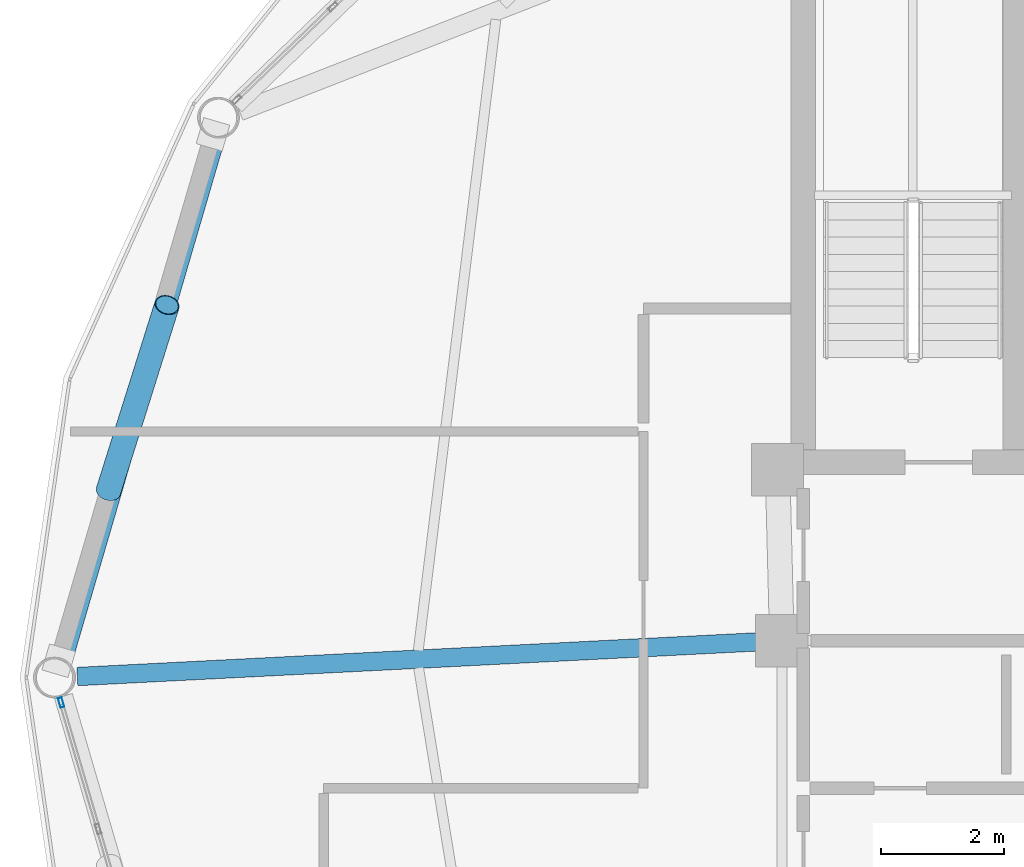
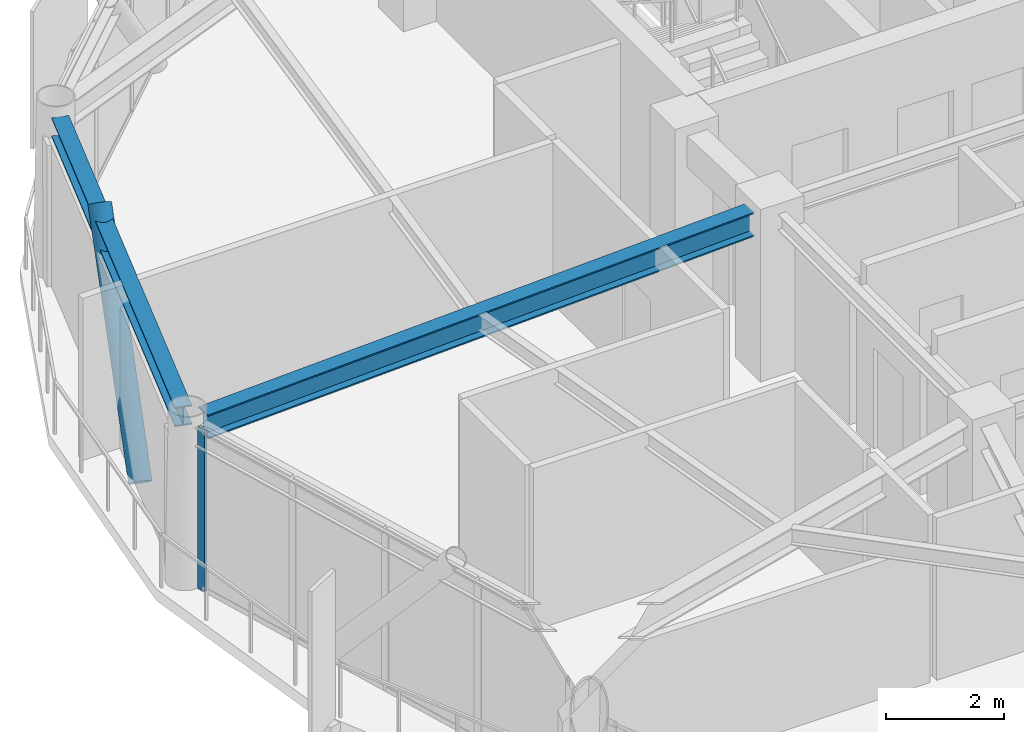
# One storey, part 10 of 26: 2 beams, 2 members, 1 element without a shape of its own.
"""IFC4 building model written with IfcOpenShell, lengths in metres."""

from ifc_helpers import new_model, si_unit, direction, frame, origin, origin_2d, place, context, subcontext, project, spatial, hollow_rectangle, hollow_circle, i_section, extrude, material, layer, layer_set, material_profile, profile_set, type_object, element, aggregate, save


model = new_model("IFC4")

# Units and contexts
model_context = context("Model", 3, precision=1e-05, world=origin(), true_north=direction((0.0, 1.0)))
body_context = subcontext(model_context, "Body", "Model", "MODEL_VIEW")
ifc_project = project(units=[si_unit("LENGTHUNIT", "METRE"), si_unit("AREAUNIT", "SQUARE_METRE"), si_unit("VOLUMEUNIT", "CUBIC_METRE"), si_unit("PLANEANGLEUNIT", "RADIAN"), si_unit("MASSUNIT", "GRAM", prefix="KILO")], contexts=[model_context])

# Site, building, storey
site_placement = place(None, origin())
site = spatial("IfcSite", under=ifc_project, at=site_placement, CompositionType="ELEMENT")
building_placement = place(site_placement, origin())
building = spatial("IfcBuilding", under=site, at=building_placement, Name="Varnakorn Sky Granary", CompositionType="ELEMENT")
storey_placement = place(building_placement, frame((0.0, 0.0, 218.39990234375)))
storey = spatial("IfcBuildingStorey", under=building, at=storey_placement, Name="L55", CompositionType="ELEMENT", Elevation=218.39990234375)

# Beams
ifc_material_1 = material(Name="Steel S355JR", Category="steel")
ifc_material_profile_1 = material_profile(ifc_material_1, i_section(OverallWidth=0.300048828125, OverallDepth=0.5, WebThickness=0.014404296875, FlangeThickness=0.028076171875, at=origin_2d()), Name="HE 500 B")
ifc_profile_set_1 = profile_set([ifc_material_profile_1], Name="Steel S355JR")
beam_type_1 = type_object("IfcBeamType", Name="BM-RAD-Z4", PredefinedType="BEAM", material=ifc_profile_set_1)
beam_1_placement = place(storey_placement, frame((-2.75439453125, 0.579345703125, 3.110107421875), z_axis=(-0.998703502537, -0.050904950848, 0.0), x_axis=(0.050904950848, -0.998703502537, 0.0)))
element("IfcBeam", 1, at=beam_1_placement, inside=storey, type_object=beam_type_1, Name="Radial Floor Girder RG07 L55", PredefinedType="BEAM", context=body_context, shape_type="SweptSolid", body=[
    extrude(i_section(OverallWidth=0.300048828125, OverallDepth=0.5, WebThickness=0.014404296875, FlangeThickness=0.028076171875, at=origin_2d()), origin(), (0.0, 0.0, 1.0), 11.064453125),
])
ifc_material_profile_2 = material_profile(ifc_material_1, i_section(OverallWidth=0.300048828125, OverallDepth=0.39990234375, WebThickness=0.013427734375, FlangeThickness=0.02392578125, at=origin_2d()), Name="HE 400 B")
ifc_profile_set_2 = profile_set([ifc_material_profile_2], Name="Steel S355JR")
beam_type_2 = type_object("IfcBeamType", Name="BM-SPD-Z4", PredefinedType="SPANDREL", material=ifc_profile_set_2)
beam_2_placement = place(storey_placement, frame((-11.549072265625, 8.78515625, 3.16015625), z_axis=(-0.280757261381, -0.959778807946, 0.0), x_axis=(0.959778807946, -0.280757261381, 0.0)))
element("IfcBeam", 2, at=beam_2_placement, inside=storey, type_object=beam_type_2, Name="Perimeter Spandrel Ring Beam RB06 L55", PredefinedType="SPANDREL", context=body_context, shape_type="SweptSolid", body=[
    extrude(i_section(OverallWidth=0.300048828125, OverallDepth=0.39990234375, WebThickness=0.013427734375, FlangeThickness=0.02392578125, at=origin_2d()), origin(), (0.0, 0.0, 1.0), 8.83837890625),
])

# Curtain wall, member
ifc_material_2 = material(Name="Anodised Bronze Aluminium Alloy 6063-T6", Category="aluminium")
ifc_layer = layer(ifc_material_2, 0.169921875, Name="Anodised Bronze Aluminium Alloy 6063-T6")
ifc_layer_set = layer_set([ifc_layer], Name="Anodised Bronze Aluminium Alloy 6063-T6")
curtain_wall_type = type_object("IfcCurtainWallType", Name="CW-LAB-1", PredefinedType="USERDEFINED", material=ifc_layer_set)
curtain_wall_placement = place(storey_placement, origin())
curtain_wall = element("IfcCurtainWall", 3, at=curtain_wall_placement, inside=storey, type_object=curtain_wall_type, Name="Unitised Curtain Wall CW5 CW-L55-B07", ObjectType="CURTAIN WALL", PredefinedType="USERDEFINED")
ifc_material_profile_3 = material_profile(ifc_material_2, hollow_rectangle(XDim=0.06494140625, YDim=0.159912109375, WallThickness=0.00341796875, at=origin_2d()), Name="ALU MULL 65x160")
ifc_profile_set_3 = profile_set([ifc_material_profile_3], Name="Anodised Bronze Aluminium Alloy 6063-T6")
member_type_1 = type_object("IfcMemberType", Name="CW-LAB-1-MULL", PredefinedType="MULLION", material=ifc_profile_set_3)
member_1_placement = place(storey_placement, frame((-14.068115234375, -0.405517578125, 0.0), z_axis=(0.0, 0.0, 1.0), x_axis=(-0.959663971781, -0.281149535416, 0.0)))
member_1 = element("IfcMember", 4, at=member_1_placement, type_object=member_type_1, Name="CW5 mullion 5", PredefinedType="MULLION", context=body_context, shape_type="SweptSolid", body=[
    extrude(hollow_rectangle(XDim=0.06494140625, YDim=0.159912109375, WallThickness=0.00341796875, at=origin_2d()), origin(), (0.0, 0.0, 1.0), 3.360107421875),
])
aggregate(curtain_wall, [member_1])

# Member
ifc_material_3 = material(Name="Steel S460M", Category="steel")
ifc_material_profile_4 = material_profile(ifc_material_3, hollow_circle(Radius=0.203125, WallThickness=0.01611328125, at=origin_2d()), Name="CHS 406.4x16")
ifc_profile_set_4 = profile_set([ifc_material_profile_4], Name="Steel S460M")
member_type_2 = type_object("IfcMemberType", Name="MB-DIAG-T4", PredefinedType="BRACE", material=ifc_profile_set_4)
member_2_placement = place(storey_placement, frame((-13.2978515625, 3.034912109375, -0.1298828125), z_axis=(0.197692088231, 0.628392921113, 0.752356414837), x_axis=(-0.95390806651, 0.300098984748, 0.0)))
element("IfcMember", 5, at=member_2_placement, inside=storey, type_object=member_type_2, Name="Perimeter CHS Diagrid Brace DG06 L55", PredefinedType="BRACE", context=body_context, shape_type="SweptSolid", body=[
    extrude(hollow_circle(Radius=0.203125, WallThickness=0.01611328125, at=origin_2d()), origin(), (0.0, 0.0, 1.0), 4.811279296875),
])

save(model, "model.ifc")
